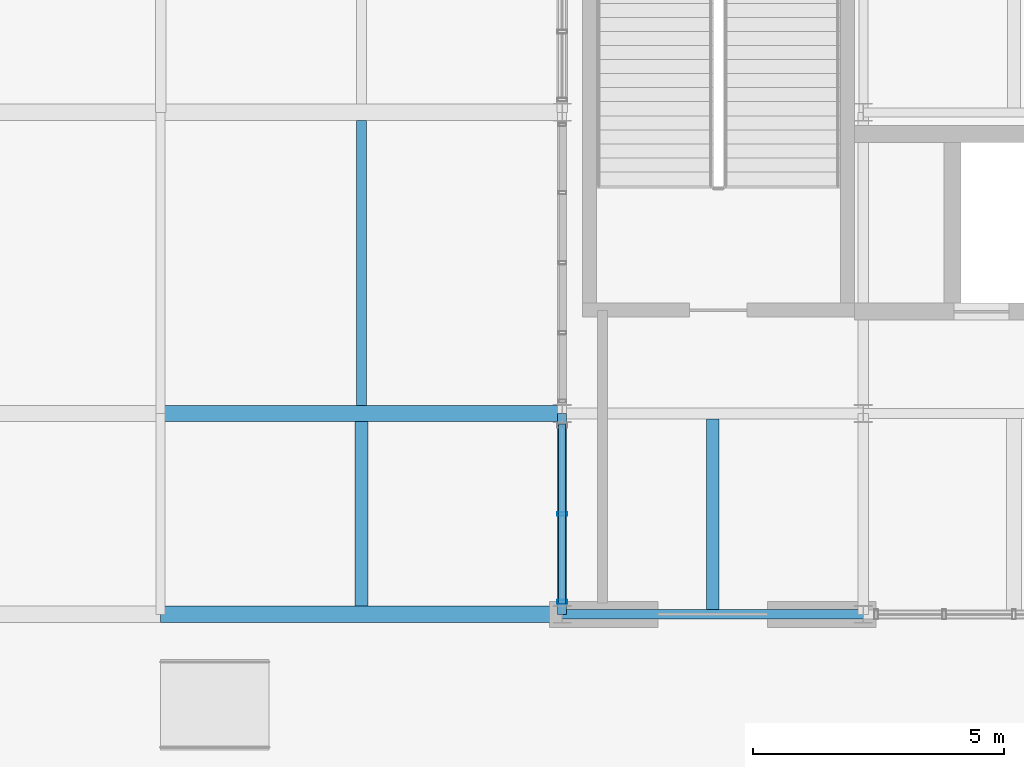
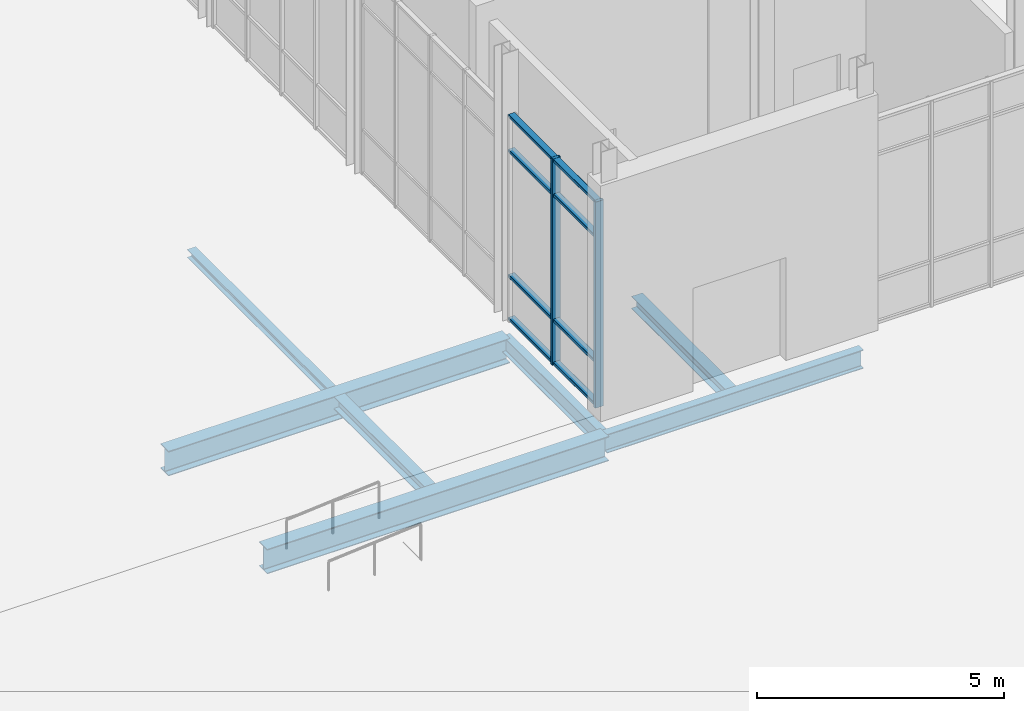
# One storey, part 69 of 140: 7 beams, 6 members, 1 element without a shape of its own.
"""IFC4 building model written with IfcOpenShell, lengths in metres."""

from ifc_helpers import new_model, si_unit, direction, frame, origin, origin_2d, place, context, subcontext, project, spatial, hollow_rectangle, i_section, extrude, material, material_profile, profile_set, type_object, element, aggregate, save


model = new_model("IFC4")

# Units and contexts
model_context = context("Model", 3, precision=1e-05, world=origin(), true_north=direction((0.0, 1.0)))
body_context = subcontext(model_context, "Body", "Model", "MODEL_VIEW")
ifc_project = project(units=[si_unit("LENGTHUNIT", "METRE"), si_unit("AREAUNIT", "SQUARE_METRE"), si_unit("VOLUMEUNIT", "CUBIC_METRE"), si_unit("PLANEANGLEUNIT", "RADIAN"), si_unit("MASSUNIT", "GRAM", prefix="KILO")], contexts=[model_context])

# Site, building, storey
site_placement = place(None, origin())
site = spatial("IfcSite", under=ifc_project, at=site_placement, CompositionType="ELEMENT")
building_placement = place(site_placement, origin())
building = spatial("IfcBuilding", under=site, at=building_placement, Name="Verrall Gate Interchange", CompositionType="ELEMENT")
storey_placement = place(building_placement, origin())
storey = spatial("IfcBuildingStorey", under=building, at=storey_placement, Name="L01", CompositionType="ELEMENT", Elevation=0.0)

# Beams
ifc_material_1 = material(Name="Structural Steel CSA G40.21 350WT Cat 4", Category="steel")
ifc_material_profile_1 = material_profile(ifc_material_1, i_section(OverallWidth=0.323974609375, OverallDepth=0.611083984375, WebThickness=0.0126953125, FlangeThickness=0.01904296875, FilletRadius=0.014892578125, at=origin_2d()), Name="W610x155")
ifc_profile_set_1 = profile_set([ifc_material_profile_1], Name="Structural Steel CSA G40.21 350WT Cat 4")
beam_type_1 = type_object("IfcBeamType", Name="B-08 Structural Beam W610x155", PredefinedType="BEAM", material=ifc_profile_set_1)
for number, where, z_axis, x_axis, name in (
    (1, (124.0, 12.0, -0.805419921875), (1.0, 0.0, 0.0), (0.0, 1.0, 0.0), "L01 Girder BM-L01-0781 (B-08)"),
    (2, (124.0, 16.0, -0.805419921875), (1.0, 0.0, 0.0), (0.0, 1.0, 0.0), "L01 Girder BM-L01-0801 (B-08)"),
):
    element("IfcBeam", number, at=place(storey_placement, frame(where, z_axis=z_axis, x_axis=x_axis)), inside=storey, type_object=beam_type_1, Name=name, PredefinedType="BEAM", context=body_context, shape_type="SweptSolid", body=[
        extrude(i_section(OverallWidth=0.323974609375, OverallDepth=0.611083984375, WebThickness=0.0126953125, FlangeThickness=0.01904296875, FilletRadius=0.014892578125, at=origin_2d()), origin(), (0.0, 0.0, 1.0), 8.0),
    ])
ifc_material_2 = material(Name="Structural Steel CSA G40.21 350W", Category="steel")
ifc_material_profile_2 = material_profile(ifc_material_2, i_section(OverallWidth=0.19189453125, OverallDepth=0.462890625, WebThickness=0.010498046875, FlangeThickness=0.017578125, FilletRadius=0.012939453125, at=origin_2d()), Name="W460x89")
ifc_profile_set_2 = profile_set([ifc_material_profile_2], Name="Structural Steel CSA G40.21 350W")
beam_type_2 = type_object("IfcBeamType", Name="B-11 Structural Beam W460x89", PredefinedType="BEAM", material=ifc_profile_set_2)
beam_1_placement = place(storey_placement, frame((132.0, 12.0, -0.7314453125), z_axis=(1.0, 0.0, 0.0), x_axis=(0.0, 1.0, 0.0)))
element("IfcBeam", 3, at=beam_1_placement, inside=storey, type_object=beam_type_2, Name="L01 Girder BM-L01-0782 (B-11)", PredefinedType="BEAM", context=body_context, shape_type="SweptSolid", body=[
    extrude(i_section(OverallWidth=0.19189453125, OverallDepth=0.462890625, WebThickness=0.010498046875, FlangeThickness=0.017578125, FilletRadius=0.012939453125, at=origin_2d()), origin(), (0.0, 0.0, 1.0), 6.0),
])
ifc_material_3 = material(Name="Structural Steel CSA G40.21 350W", Category="steel")
ifc_material_profile_3 = material_profile(ifc_material_3, i_section(OverallWidth=0.178955078125, OverallDepth=0.409912109375, WebThickness=0.0087890625, FlangeThickness=0.014404296875, FilletRadius=0.011962890625, at=origin_2d()), Name="W410x67")
ifc_profile_set_3 = profile_set([ifc_material_profile_3], Name="Structural Steel CSA G40.21 350W")
beam_type_3 = type_object("IfcBeamType", Name="B-12 Structural Beam W410x67", PredefinedType="BEAM", material=ifc_profile_set_3)
beam_2_placement = place(storey_placement, frame((132.0, 12.0, -0.705078125), z_axis=(0.0, 1.0, 0.0), x_axis=(-1.0, 0.0, 0.0)))
element("IfcBeam", 4, at=beam_2_placement, inside=storey, type_object=beam_type_3, Name="L01 Girder BM-L01-1195 (B-12)", PredefinedType="BEAM", context=body_context, shape_type="SweptSolid", body=[
    extrude(i_section(OverallWidth=0.178955078125, OverallDepth=0.409912109375, WebThickness=0.0087890625, FlangeThickness=0.014404296875, FilletRadius=0.011962890625, at=origin_2d()), origin(), (0.0, 0.0, 1.0), 4.0),
])

# Curtain wall, members
ifc_material_4 = material(Name="Thermally Broken Anodized Aluminium Curtain Wall Framing", Category="aluminium")
curtain_wall_type = type_object("IfcCurtainWallType", Name="CW-05 Unitized Curtain Wall 3631x5100", PredefinedType="NOTDEFINED", material=ifc_material_4)
curtain_wall_placement = place(storey_placement, origin())
curtain_wall = element("IfcCurtainWall", 5, at=curtain_wall_placement, inside=storey, type_object=curtain_wall_type, Name="L01 Unitized Curtain Wall CW-L01-051", PredefinedType="NOTDEFINED")
ifc_material_5 = material(Name="Thermally Broken Anodized Aluminium Curtain Wall Framing", Category="aluminium")
ifc_material_profile_4 = material_profile(ifc_material_5, hollow_rectangle(XDim=0.074951171875, YDim=0.199951171875, WallThickness=0.0048828125, InnerFilletRadius=0.0048828125, OuterFilletRadius=0.010009765625, at=origin_2d()), Name="CWM200x75x5")
ifc_profile_set_4 = profile_set([ifc_material_profile_4], Name="Thermally Broken Anodized Aluminium Curtain Wall Framing")
member_type_1 = type_object("IfcMemberType", Name="CM-02 Curtain Mullion CWM200x75x5", PredefinedType="MULLION", material=ifc_profile_set_4)
member_1_placement = place(storey_placement, frame((132.0, 14.0, 0.0), z_axis=(0.0, 0.0, 1.0), x_axis=(0.0, -1.0, 0.0)))
member_1 = element("IfcMember", 6, at=member_1_placement, type_object=member_type_1, Name="CW-L01-051 Mullion 2", PredefinedType="MULLION", context=body_context, shape_type="SweptSolid", body=[
    extrude(hollow_rectangle(XDim=0.074951171875, YDim=0.199951171875, WallThickness=0.0048828125, InnerFilletRadius=0.0048828125, OuterFilletRadius=0.010009765625, at=origin_2d()), origin(), (0.0, 0.0, 1.0), 5.10009765625),
])
member_2_placement = place(storey_placement, frame((132.0, 12.24755859375, 0.0), z_axis=(0.0, 0.0, 1.0), x_axis=(0.0, -1.0, 0.0)))
member_2 = element("IfcMember", 7, at=member_2_placement, type_object=member_type_1, Name="CW-L01-051 Mullion 3", PredefinedType="MULLION", context=body_context, shape_type="SweptSolid", body=[
    extrude(hollow_rectangle(XDim=0.074951171875, YDim=0.199951171875, WallThickness=0.0048828125, InnerFilletRadius=0.0048828125, OuterFilletRadius=0.010009765625, at=origin_2d()), origin(), (0.0, 0.0, 1.0), 5.10009765625),
])
ifc_material_6 = material(Name="Thermally Broken Anodized Aluminium Curtain Wall Framing", Category="aluminium")
ifc_material_profile_5 = material_profile(ifc_material_6, hollow_rectangle(XDim=0.14990234375, YDim=0.074951171875, WallThickness=0.00439453125, InnerFilletRadius=0.00439453125, OuterFilletRadius=0.009033203125, at=origin_2d()), Name="CWT150x75x4.5")
ifc_profile_set_5 = profile_set([ifc_material_profile_5], Name="Thermally Broken Anodized Aluminium Curtain Wall Framing")
member_type_2 = type_object("IfcMemberType", Name="CT-02 Curtain Transom CWT150x75x4.5", PredefinedType="USERDEFINED", material=ifc_profile_set_5)
member_3_placement = place(storey_placement, frame((132.0, 15.7900390625, 0.03759765625), z_axis=(0.0, -1.0, 0.0), x_axis=(1.0, 0.0, 0.0)))
member_3 = element("IfcMember", 8, at=member_3_placement, type_object=member_type_2, Name="CW-L01-051 Transom 1", ObjectType="TRANSOM", PredefinedType="USERDEFINED", context=body_context, shape_type="SweptSolid", body=[
    extrude(hollow_rectangle(XDim=0.14990234375, YDim=0.074951171875, WallThickness=0.00439453125, InnerFilletRadius=0.00439453125, OuterFilletRadius=0.009033203125, at=origin_2d()), origin(), (0.0, 0.0, 1.0), 3.580078125),
])
member_4_placement = place(storey_placement, frame((132.0, 15.7900390625, 1.10009765625), z_axis=(0.0, -1.0, 0.0), x_axis=(1.0, 0.0, 0.0)))
member_4 = element("IfcMember", 9, at=member_4_placement, type_object=member_type_2, Name="CW-L01-051 Transom 2", ObjectType="TRANSOM", PredefinedType="USERDEFINED", context=body_context, shape_type="SweptSolid", body=[
    extrude(hollow_rectangle(XDim=0.14990234375, YDim=0.074951171875, WallThickness=0.00439453125, InnerFilletRadius=0.00439453125, OuterFilletRadius=0.009033203125, at=origin_2d()), origin(), (0.0, 0.0, 1.0), 3.580078125),
])
member_5_placement = place(storey_placement, frame((132.0, 15.7900390625, 4.199951171875), z_axis=(0.0, -1.0, 0.0), x_axis=(1.0, 0.0, 0.0)))
member_5 = element("IfcMember", 10, at=member_5_placement, type_object=member_type_2, Name="CW-L01-051 Transom 3", ObjectType="TRANSOM", PredefinedType="USERDEFINED", context=body_context, shape_type="SweptSolid", body=[
    extrude(hollow_rectangle(XDim=0.14990234375, YDim=0.074951171875, WallThickness=0.00439453125, InnerFilletRadius=0.00439453125, OuterFilletRadius=0.009033203125, at=origin_2d()), origin(), (0.0, 0.0, 1.0), 3.580078125),
])
member_6_placement = place(storey_placement, frame((132.0, 15.7900390625, 5.0625), z_axis=(0.0, -1.0, 0.0), x_axis=(1.0, 0.0, 0.0)))
member_6 = element("IfcMember", 11, at=member_6_placement, type_object=member_type_2, Name="CW-L01-051 Transom 4", ObjectType="TRANSOM", PredefinedType="USERDEFINED", context=body_context, shape_type="SweptSolid", body=[
    extrude(hollow_rectangle(XDim=0.14990234375, YDim=0.074951171875, WallThickness=0.00439453125, InnerFilletRadius=0.00439453125, OuterFilletRadius=0.009033203125, at=origin_2d()), origin(), (0.0, 0.0, 1.0), 3.580078125),
])
aggregate(curtain_wall, [member_1, member_2, member_3, member_4, member_5, member_6])

# Beams
ifc_material_7 = material(Name="Structural Steel CSA G40.21 350W", Category="steel")
ifc_material_profile_6 = material_profile(ifc_material_7, i_section(OverallWidth=0.25390625, OverallDepth=0.305908203125, WebThickness=0.0087890625, FlangeThickness=0.0146484375, FilletRadius=0.012939453125, at=origin_2d()), Name="W310x79")
ifc_profile_set_6 = profile_set([ifc_material_profile_6], Name="Structural Steel CSA G40.21 350W")
beam_type_4 = type_object("IfcBeamType", Name="J-03 Floor Joist W310x79", PredefinedType="JOIST", material=ifc_profile_set_6)
beam_3_placement = place(storey_placement, frame((128.0, 12.162109375, -0.653076171875), z_axis=(0.0, 1.0, 0.0), x_axis=(-1.0, 0.0, 0.0)))
element("IfcBeam", 12, at=beam_3_placement, inside=storey, type_object=beam_type_4, Name="L01 Secondary Floor Joist JST-L01-1292", PredefinedType="JOIST", context=body_context, shape_type="SweptSolid", body=[
    extrude(i_section(OverallWidth=0.25390625, OverallDepth=0.305908203125, WebThickness=0.0087890625, FlangeThickness=0.0146484375, FilletRadius=0.012939453125, at=origin_2d()), origin(), (0.0, 0.0, 1.0), 3.67578125),
])
beam_4_placement = place(storey_placement, frame((135.0, 12.095947265625, -0.653076171875), z_axis=(0.0, 1.0, 0.0), x_axis=(-1.0, 0.0, 0.0)))
element("IfcBeam", 13, at=beam_4_placement, inside=storey, type_object=beam_type_4, Name="L01 Secondary Floor Joist JST-L01-1293", PredefinedType="JOIST", context=body_context, shape_type="SweptSolid", body=[
    extrude(i_section(OverallWidth=0.25390625, OverallDepth=0.305908203125, WebThickness=0.0087890625, FlangeThickness=0.0146484375, FilletRadius=0.012939453125, at=origin_2d()), origin(), (0.0, 0.0, 1.0), 3.798583984375),
])
ifc_material_8 = material(Name="Structural Steel CSA G40.21 350W", Category="steel")
ifc_material_profile_7 = material_profile(ifc_material_8, i_section(OverallWidth=0.202880859375, OverallDepth=0.202880859375, WebThickness=0.007080078125, FlangeThickness=0.010986328125, FilletRadius=0.010009765625, at=origin_2d()), Name="W200x46")
ifc_profile_set_7 = profile_set([ifc_material_profile_7], Name="Structural Steel CSA G40.21 350W")
beam_type_5 = type_object("IfcBeamType", Name="J-07 Floor Joist W200x46", PredefinedType="JOIST", material=ifc_profile_set_7)
beam_5_placement = place(storey_placement, frame((128.0, 16.162109375, -0.6015625), z_axis=(0.0, 1.0, 0.0), x_axis=(-1.0, 0.0, 0.0)))
element("IfcBeam", 14, at=beam_5_placement, inside=storey, type_object=beam_type_5, Name="L01 Secondary Floor Joist JST-L01-1306", PredefinedType="JOIST", context=body_context, shape_type="SweptSolid", body=[
    extrude(i_section(OverallWidth=0.202880859375, OverallDepth=0.202880859375, WebThickness=0.007080078125, FlangeThickness=0.010986328125, FilletRadius=0.010009765625, at=origin_2d()), origin(), (0.0, 0.0, 1.0), 5.67578125),
])

save(model, "model.ifc")
